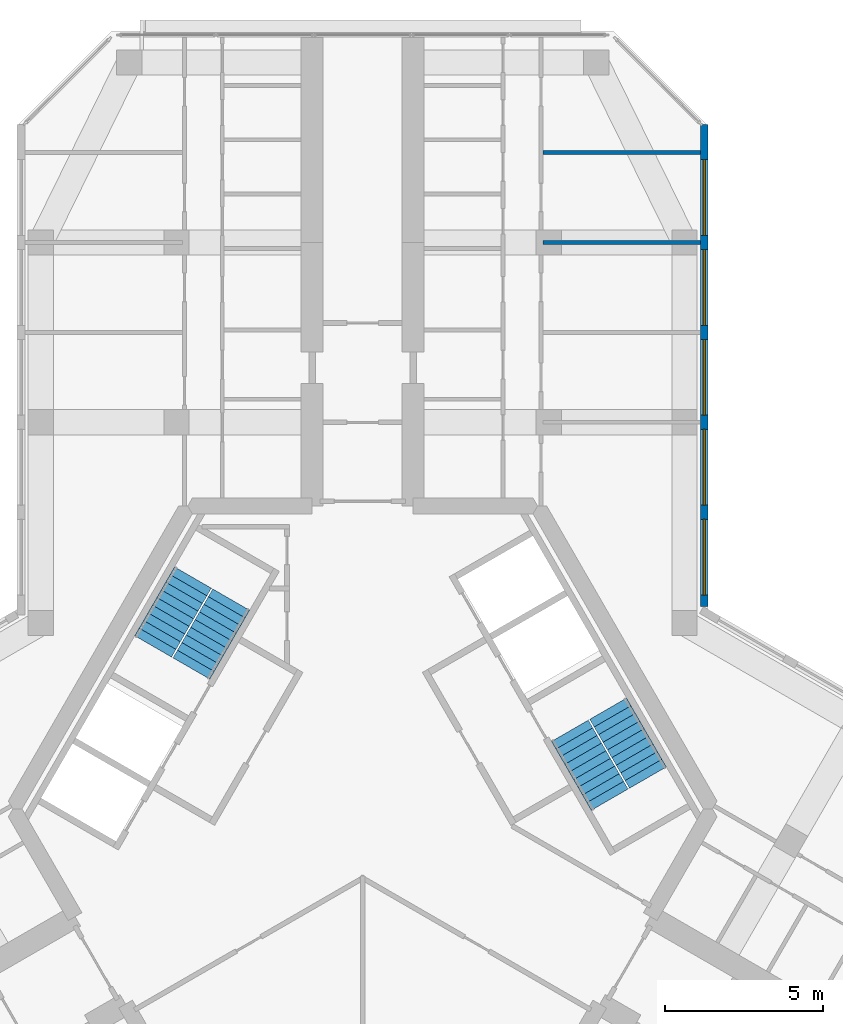
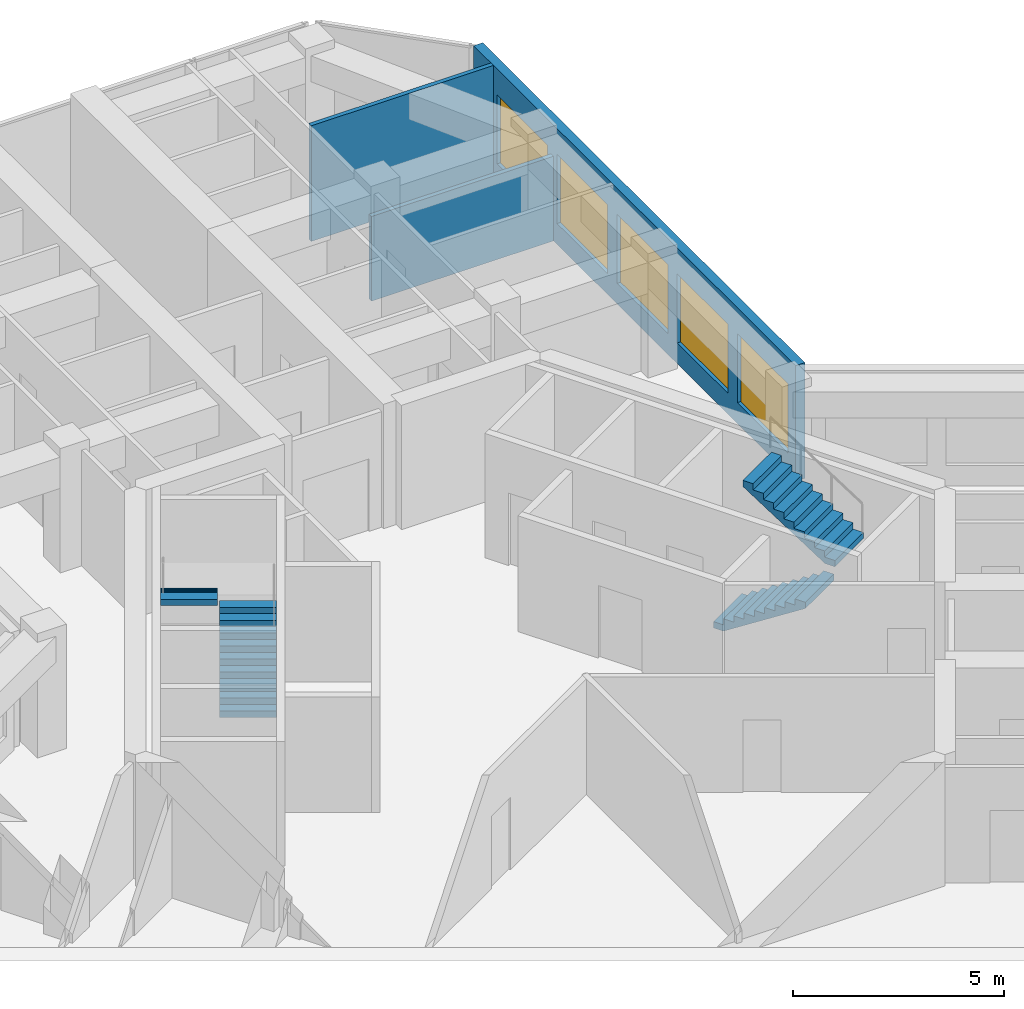
# One storey, part 13 of 14: 5 windows, 4 stair flights, 3 walls, 5 openings, 2 elements without a shape of their own.
"""IFC4 building model written with IfcOpenShell, lengths in metres."""

from ifc_helpers import new_model, si_unit, direction, frame, frame_2d, origin, place, context, subcontext, project, spatial, polyline, rectangle, outline, extrude, material, layer, layer_set, type_object, element, fill, aggregate, save


model = new_model("IFC4")

# Units and contexts
model_context = context("Model", 3, precision=1e-05, world=origin(), true_north=direction((0.0, 1.0)))
body_context = subcontext(model_context, "Body", "Model", "MODEL_VIEW")
ifc_project = project(units=[si_unit("LENGTHUNIT", "METRE"), si_unit("AREAUNIT", "SQUARE_METRE"), si_unit("VOLUMEUNIT", "CUBIC_METRE"), si_unit("PLANEANGLEUNIT", "RADIAN"), si_unit("MASSUNIT", "GRAM", prefix="KILO")], contexts=[model_context])

# Site, building, storey
site_placement = place(None, origin())
site = spatial("IfcSite", under=ifc_project, at=site_placement, CompositionType="ELEMENT")
building_placement = place(site_placement, origin())
building = spatial("IfcBuilding", under=site, at=building_placement, Name="Kosmar Iwan School Tower", CompositionType="ELEMENT")
storey_placement = place(building_placement, frame((0.0, 0.0, 285.39990234375)))
storey = spatial("IfcBuildingStorey", under=building, at=storey_placement, Name="L72", CompositionType="ELEMENT", Elevation=285.39990234375)

# Walls
ifc_material_1 = material(Name="Gypsum board on steel studs", Category="steel")
ifc_layer_1 = layer(ifc_material_1, 0.1201171875)
ifc_layer_set_1 = layer_set([ifc_layer_1], Name="Dwelling partition 120")
wall_type_1 = type_object("IfcWallType", Name="Dwelling partition 120", PredefinedType="PARTITIONING", material=ifc_layer_set_1)
wall_1_placement = place(storey_placement, frame((5.7099609375, 17.949951171875, 0.0), z_axis=(0.0, 0.0, 1.0), x_axis=(1.0, 0.0, 0.0)))
element("IfcWall", 1, at=wall_1_placement, inside=storey, type_object=wall_type_1, Name="Partition L72-AR1-X3", PredefinedType="PARTITIONING", context=body_context, shape_type="SweptSolid", body=[
    extrude(rectangle(XDim=4.989990234375, YDim=0.1201171875, at=frame_2d((2.4951171875, 0.0))), origin(), (0.0, 0.0, 1.0), 2.4501953125),
])
wall_2_placement = place(storey_placement, frame((5.7099609375, 20.800048828125, 0.0), z_axis=(0.0, 0.0, 1.0), x_axis=(1.0, 0.0, 0.0)))
element("IfcWall", 2, at=wall_2_placement, inside=storey, type_object=wall_type_1, Name="Partition L72-AR1-X4", PredefinedType="PARTITIONING", context=body_context, shape_type="SweptSolid", body=[
    extrude(rectangle(XDim=4.989990234375, YDim=0.1201171875, at=frame_2d((2.4951171875, 0.0))), origin(), (0.0, 0.0, 1.0), 3.35009765625),
])

# Wall, openings, windows
ifc_material_2 = material(Name="Black aluminium rainscreen on insulated framing", Category="aluminium")
ifc_layer_2 = layer(ifc_material_2, 0.25)
ifc_layer_set_2 = layer_set([ifc_layer_2], Name="External wall rainscreen 250")
wall_type_2 = type_object("IfcWallType", Name="External wall rainscreen 250", PredefinedType="SOLIDWALL", material=ifc_layer_set_2)
wall_3_placement = place(storey_placement, frame((10.824951171875, 6.408935546875, 0.0), z_axis=(0.0, 0.0, 1.0), x_axis=(0.0, 1.0, 0.0)))
wall_3 = element("IfcWall", 3, at=wall_3_placement, inside=storey, type_object=wall_type_2, Name="External wall AR L72", PredefinedType="SOLIDWALL", context=body_context, shape_type="SweptSolid", body=[
    extrude(rectangle(XDim=15.2763671875, YDim=0.25, at=frame_2d((7.63818359375, 0.0))), origin(), (0.0, 0.0, 1.0), 3.35009765625),
])
opening_1_placement = place(wall_3_placement, frame((0.365966796875, 0.0, 0.60009765625)))
opening_1 = element("IfcOpeningElement", 4, at=opening_1_placement, cuts=wall_3, Name="Opening W6", PredefinedType="OPENING", context=body_context, shape_type="SweptSolid", body=[
    extrude(rectangle(XDim=2.39990234375, YDim=2.0, at=frame_2d((1.199951171875, 1.0))), frame((0.0, 0.136962890625, 0.0), z_axis=(0.0, -1.0, 0.0), x_axis=(1.0, 0.0, 0.0)), (0.0, 0.0, 1.0), 0.27392578125),
])
opening_2_placement = place(wall_3_placement, frame((3.216064453125, 0.0, 0.60009765625)))
opening_2 = element("IfcOpeningElement", 5, at=opening_2_placement, cuts=wall_3, Name="Opening W6", PredefinedType="OPENING", context=body_context, shape_type="SweptSolid", body=[
    extrude(rectangle(XDim=2.39990234375, YDim=2.0, at=frame_2d((1.199951171875, 1.0))), frame((0.0, 0.136962890625, 0.0), z_axis=(0.0, -1.0, 0.0), x_axis=(1.0, 0.0, 0.0)), (0.0, 0.0, 1.0), 0.27392578125),
])
opening_3_placement = place(wall_3_placement, frame((6.06591796875, 0.0, 0.60009765625)))
opening_3 = element("IfcOpeningElement", 6, at=opening_3_placement, cuts=wall_3, Name="Opening W6", PredefinedType="OPENING", context=body_context, shape_type="SweptSolid", body=[
    extrude(rectangle(XDim=2.39990234375, YDim=2.0, at=frame_2d((1.199951171875, 1.0))), frame((0.0, 0.136962890625, 0.0), z_axis=(0.0, -1.0, 0.0), x_axis=(1.0, 0.0, 0.0)), (0.0, 0.0, 1.0), 0.27392578125),
])
opening_4_placement = place(wall_3_placement, frame((8.916015625, 0.0, 0.60009765625)))
opening_4 = element("IfcOpeningElement", 7, at=opening_4_placement, cuts=wall_3, Name="Opening W6", PredefinedType="OPENING", context=body_context, shape_type="SweptSolid", body=[
    extrude(rectangle(XDim=2.39990234375, YDim=2.0, at=frame_2d((1.199951171875, 1.0))), frame((0.0, 0.136962890625, 0.0), z_axis=(0.0, -1.0, 0.0), x_axis=(1.0, 0.0, 0.0)), (0.0, 0.0, 1.0), 0.27392578125),
])
opening_5_placement = place(wall_3_placement, frame((11.76611328125, 0.0, 0.60009765625)))
opening_5 = element("IfcOpeningElement", 8, at=opening_5_placement, cuts=wall_3, Name="Opening W6", PredefinedType="OPENING", context=body_context, shape_type="SweptSolid", body=[
    extrude(rectangle(XDim=2.39990234375, YDim=2.0, at=frame_2d((1.199951171875, 1.0))), frame((0.0, 0.136962890625, 0.0), z_axis=(0.0, -1.0, 0.0), x_axis=(1.0, 0.0, 0.0)), (0.0, 0.0, 1.0), 0.27392578125),
])
ifc_material_3 = material(Name="Black aluminium frame with dark triple glazing", Category="aluminium")
window_type = type_object("IfcWindowType", Name="Window 2400x2000", PartitioningType="SINGLE_PANEL", PredefinedType="WINDOW", material=ifc_material_3)
window_1_placement = place(opening_1_placement, origin())
window_1 = element("IfcWindow", 9, at=window_1_placement, inside=storey, type_object=window_type, Name="Window AR L72 -1", OverallHeight=2.0, OverallWidth=2.39990234375, PartitioningType="SINGLE_PANEL", PredefinedType="WINDOW", context=body_context, shape_type="SweptSolid", body=[
    extrude(rectangle(XDim=2.39990234375, YDim=2.0, at=frame_2d((1.199951171875, 1.0))), frame((0.0, 0.030029296875, 0.0), z_axis=(0.0, -1.0, 0.0), x_axis=(1.0, 0.0, 0.0)), (0.0, 0.0, 1.0), 0.06005859375),
])
fill(opening_1, window_1)
window_2_placement = place(opening_2_placement, origin())
window_2 = element("IfcWindow", 10, at=window_2_placement, inside=storey, type_object=window_type, Name="Window AR L72 0", OverallHeight=2.0, OverallWidth=2.39990234375, PartitioningType="SINGLE_PANEL", PredefinedType="WINDOW", context=body_context, shape_type="SweptSolid", body=[
    extrude(rectangle(XDim=2.39990234375, YDim=2.0, at=frame_2d((1.199951171875, 1.0))), frame((0.0, 0.030029296875, 0.0), z_axis=(0.0, -1.0, 0.0), x_axis=(1.0, 0.0, 0.0)), (0.0, 0.0, 1.0), 0.06005859375),
])
fill(opening_2, window_2)
window_3_placement = place(opening_3_placement, origin())
window_3 = element("IfcWindow", 11, at=window_3_placement, inside=storey, type_object=window_type, Name="Window AR L72 1", OverallHeight=2.0, OverallWidth=2.39990234375, PartitioningType="SINGLE_PANEL", PredefinedType="WINDOW", context=body_context, shape_type="SweptSolid", body=[
    extrude(rectangle(XDim=2.39990234375, YDim=2.0, at=frame_2d((1.199951171875, 1.0))), frame((0.0, 0.030029296875, 0.0), z_axis=(0.0, -1.0, 0.0), x_axis=(1.0, 0.0, 0.0)), (0.0, 0.0, 1.0), 0.06005859375),
])
fill(opening_3, window_3)
window_4_placement = place(opening_4_placement, origin())
window_4 = element("IfcWindow", 12, at=window_4_placement, inside=storey, type_object=window_type, Name="Window AR L72 2", OverallHeight=2.0, OverallWidth=2.39990234375, PartitioningType="SINGLE_PANEL", PredefinedType="WINDOW", context=body_context, shape_type="SweptSolid", body=[
    extrude(rectangle(XDim=2.39990234375, YDim=2.0, at=frame_2d((1.199951171875, 1.0))), frame((0.0, 0.030029296875, 0.0), z_axis=(0.0, -1.0, 0.0), x_axis=(1.0, 0.0, 0.0)), (0.0, 0.0, 1.0), 0.06005859375),
])
fill(opening_4, window_4)
window_5_placement = place(opening_5_placement, origin())
window_5 = element("IfcWindow", 13, at=window_5_placement, inside=storey, type_object=window_type, Name="Window AR L72 3", OverallHeight=2.0, OverallWidth=2.39990234375, PartitioningType="SINGLE_PANEL", PredefinedType="WINDOW", context=body_context, shape_type="SweptSolid", body=[
    extrude(rectangle(XDim=2.39990234375, YDim=2.0, at=frame_2d((1.199951171875, 1.0))), frame((0.0, 0.030029296875, 0.0), z_axis=(0.0, -1.0, 0.0), x_axis=(1.0, 0.0, 0.0)), (0.0, 0.0, 1.0), 0.06005859375),
])
fill(opening_5, window_5)

# Stair, stair flights
ifc_material_4 = material(Name="Concrete C35/45", Category="concrete")
stair_type = type_object("IfcStairType", Name="Core stair 2750", PredefinedType="HALF_TURN_STAIR", material=ifc_material_4)
stair_1_placement = place(storey_placement, origin())
stair_1 = element("IfcStair", 14, at=stair_1_placement, inside=storey, type_object=stair_type, Name="Stair ST2 L72", PredefinedType="HALF_TURN_STAIR")
ifc_material_5 = material(Name="Concrete C35/45", Category="concrete")
stair_flight_type = type_object("IfcStairFlightType", Name="Stair flight 1350", PredefinedType="STRAIGHT", material=ifc_material_5)
stair_flight_1_placement = place(storey_placement, frame((-5.42724609375, 4.44970703125, 0.0), z_axis=(0.0, 0.0, 1.0), x_axis=(0.5, 0.866025403784, 0.0)))
stair_flight_1 = element("IfcStairFlight", 15, at=stair_flight_1_placement, type_object=stair_flight_type, Name="ST2 flight 1", NumberOfRisers=10, NumberOfTreads=9, PredefinedType="STRAIGHT", RiserHeight=0.18, TreadLength=0.28, context=body_context, shape_type="SweptSolid", body=[
    extrude(outline(polyline([(0.0, 0.0), (0.0, 0.179931640625), (0.280029296875, 0.179931640625), (0.280029296875, 0.360107421875), (0.56005859375, 0.360107421875), (0.56005859375, 0.5400390625), (0.840087890625, 0.5400390625), (0.840087890625, 0.719970703125), (1.1201171875, 0.719970703125), (1.1201171875, 0.89990234375), (1.39990234375, 0.89990234375), (1.39990234375, 1.080078125), (1.679931640625, 1.080078125), (1.679931640625, 1.260009765625), (1.9599609375, 1.260009765625), (1.9599609375, 1.43994140625), (2.239990234375, 1.43994140625), (2.239990234375, 1.6201171875), (2.52001953125, 1.6201171875), (2.52001953125, 1.800048828125), (2.52001953125, 1.44189453125), (0.277099609375, 0.0), (0.0, 0.0)])), frame((0.0, 0.675048828125, 0.0), z_axis=(0.0, -1.0, 0.0), x_axis=(1.0, 0.0, 0.0)), (0.0, 0.0, 1.0), 1.35009765625),
])
stair_flight_2_placement = place(storey_placement, frame((-5.379638671875, 7.33203125, 1.800048828125), z_axis=(0.0, 0.0, 1.0), x_axis=(-0.5, -0.866025403784, 0.0)))
stair_flight_2 = element("IfcStairFlight", 16, at=stair_flight_2_placement, type_object=stair_flight_type, Name="ST2 flight 2", NumberOfRisers=10, NumberOfTreads=9, PredefinedType="STRAIGHT", RiserHeight=0.18, TreadLength=0.28, context=body_context, shape_type="SweptSolid", body=[
    extrude(outline(polyline([(0.0, 0.0), (0.0, 0.179931640625), (0.280029296875, 0.179931640625), (0.280029296875, 0.360107421875), (0.56005859375, 0.360107421875), (0.56005859375, 0.5400390625), (0.840087890625, 0.5400390625), (0.840087890625, 0.719970703125), (1.1201171875, 0.719970703125), (1.1201171875, 0.89990234375), (1.39990234375, 0.89990234375), (1.39990234375, 1.080078125), (1.679931640625, 1.080078125), (1.679931640625, 1.260009765625), (1.9599609375, 1.260009765625), (1.9599609375, 1.43994140625), (2.239990234375, 1.43994140625), (2.239990234375, 1.6201171875), (2.52001953125, 1.6201171875), (2.52001953125, 1.800048828125), (2.52001953125, 1.44189453125), (0.277099609375, 0.0), (0.0, 0.0)])), frame((0.0, 0.675048828125, 0.0), z_axis=(0.0, -1.0, 0.0), x_axis=(1.0, 0.0, 0.0)), (0.0, 0.0, 1.0), 1.35009765625),
])
aggregate(stair_1, [stair_flight_1, stair_flight_2])

stair_2_placement = place(storey_placement, origin())
stair_2 = element("IfcStair", 17, at=stair_2_placement, inside=storey, type_object=stair_type, Name="Stair ST1 L72", PredefinedType="HALF_TURN_STAIR")
stair_flight_3_placement = place(storey_placement, frame((6.567138671875, 2.475341796875, 0.0), z_axis=(0.0, 0.0, 1.0), x_axis=(0.5, -0.866025403784, 0.0)))
stair_flight_3 = element("IfcStairFlight", 18, at=stair_flight_3_placement, type_object=stair_flight_type, Name="ST1 flight 1", NumberOfRisers=10, NumberOfTreads=9, PredefinedType="STRAIGHT", RiserHeight=0.18, TreadLength=0.28, context=body_context, shape_type="SweptSolid", body=[
    extrude(outline(polyline([(0.0, 0.0), (0.0, 0.179931640625), (0.280029296875, 0.179931640625), (0.280029296875, 0.360107421875), (0.56005859375, 0.360107421875), (0.56005859375, 0.5400390625), (0.840087890625, 0.5400390625), (0.840087890625, 0.719970703125), (1.1201171875, 0.719970703125), (1.1201171875, 0.89990234375), (1.39990234375, 0.89990234375), (1.39990234375, 1.080078125), (1.679931640625, 1.080078125), (1.679931640625, 1.260009765625), (1.9599609375, 1.260009765625), (1.9599609375, 1.43994140625), (2.239990234375, 1.43994140625), (2.239990234375, 1.6201171875), (2.52001953125, 1.6201171875), (2.52001953125, 1.800048828125), (2.52001953125, 1.44189453125), (0.277099609375, 0.0), (0.0, 0.0)])), frame((0.0, 0.675048828125, 0.0), z_axis=(0.0, -1.0, 0.0), x_axis=(1.0, 0.0, 0.0)), (0.0, 0.0, 1.0), 1.35009765625),
])
stair_flight_4_placement = place(storey_placement, frame((9.03955078125, 0.992919921875, 1.800048828125), z_axis=(0.0, 0.0, 1.0), x_axis=(-0.5, 0.866025403784, 0.0)))
stair_flight_4 = element("IfcStairFlight", 19, at=stair_flight_4_placement, type_object=stair_flight_type, Name="ST1 flight 2", NumberOfRisers=10, NumberOfTreads=9, PredefinedType="STRAIGHT", RiserHeight=0.18, TreadLength=0.28, context=body_context, shape_type="SweptSolid", body=[
    extrude(outline(polyline([(0.0, 0.0), (0.0, 0.179931640625), (0.280029296875, 0.179931640625), (0.280029296875, 0.360107421875), (0.56005859375, 0.360107421875), (0.56005859375, 0.5400390625), (0.840087890625, 0.5400390625), (0.840087890625, 0.719970703125), (1.1201171875, 0.719970703125), (1.1201171875, 0.89990234375), (1.39990234375, 0.89990234375), (1.39990234375, 1.080078125), (1.679931640625, 1.080078125), (1.679931640625, 1.260009765625), (1.9599609375, 1.260009765625), (1.9599609375, 1.43994140625), (2.239990234375, 1.43994140625), (2.239990234375, 1.6201171875), (2.52001953125, 1.6201171875), (2.52001953125, 1.800048828125), (2.52001953125, 1.44189453125), (0.277099609375, 0.0), (0.0, 0.0)])), frame((0.0, 0.675048828125, 0.0), z_axis=(0.0, -1.0, 0.0), x_axis=(1.0, 0.0, 0.0)), (0.0, 0.0, 1.0), 1.35009765625),
])
aggregate(stair_2, [stair_flight_3, stair_flight_4])

save(model, "model.ifc")
